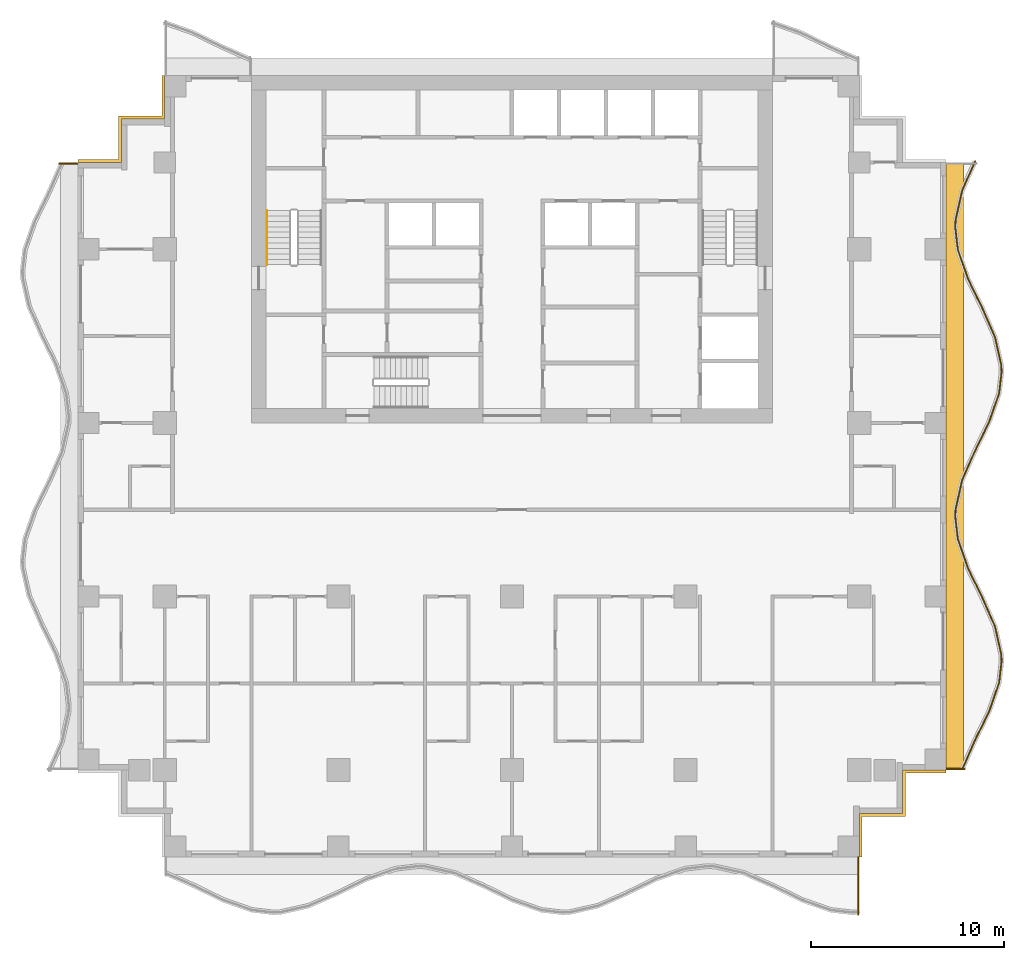
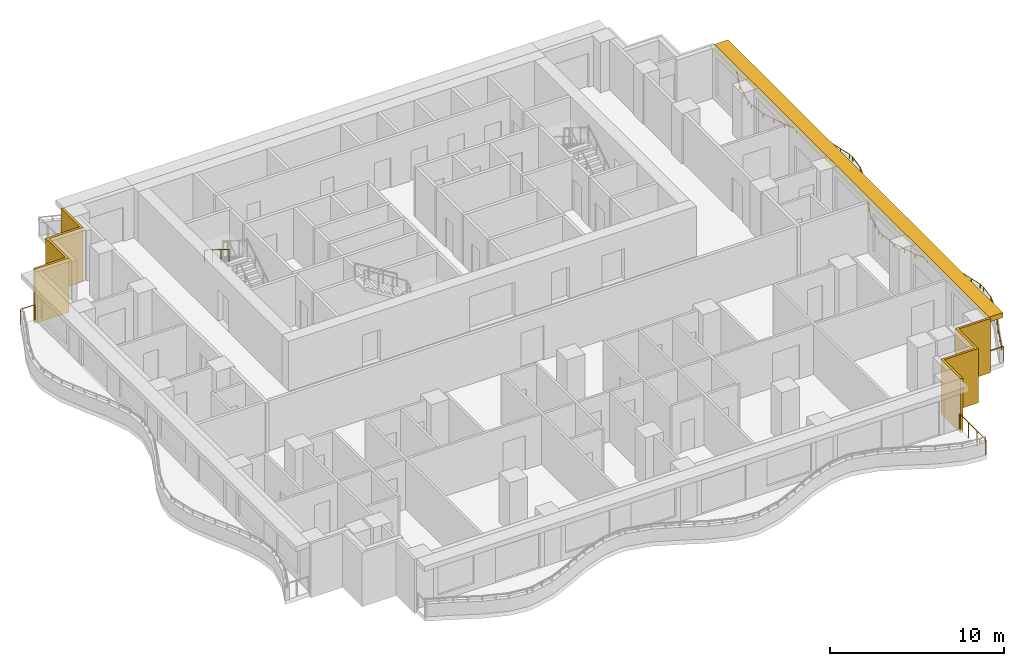
# One storey, part 9 of 10: 5 railings, 3 shading devices.
"""IFC4 building model written with IfcOpenShell, lengths in metres."""

from ifc_helpers import new_model, si_unit, direction, frame, origin, origin_2d, place, context, subcontext, project, spatial, polyline, rectangle, circle, outline, extrude, material, layer, layer_set, type_object, element, save


model = new_model("IFC4")

# Units and contexts
model_context = context("Model", 3, precision=1e-05, world=origin(), true_north=direction((0.0, 1.0)))
body_context = subcontext(model_context, "Body", "Model", "MODEL_VIEW")
ifc_project = project(units=[si_unit("LENGTHUNIT", "METRE"), si_unit("AREAUNIT", "SQUARE_METRE"), si_unit("VOLUMEUNIT", "CUBIC_METRE"), si_unit("PLANEANGLEUNIT", "RADIAN"), si_unit("MASSUNIT", "GRAM", prefix="KILO")], contexts=[model_context])

# Site, building, storey
site_placement = place(None, origin())
site = spatial("IfcSite", under=ifc_project, at=site_placement, CompositionType="ELEMENT")
building_placement = place(site_placement, origin())
building = spatial("IfcBuilding", under=site, at=building_placement, Name="Orbiselva Terraces", CompositionType="ELEMENT")
storey_placement = place(building_placement, frame((0.0, 0.0, 170.6)))
storey = spatial("IfcBuildingStorey", under=building, at=storey_placement, Name="L43", CompositionType="ELEMENT", Elevation=170.6)

# Railings
ifc_material_1 = material(Name="Stainless steel", Category="steel")
railing_type_1 = type_object("IfcRailingType", Name="CORE-HANDRAIL-900", PredefinedType="HANDRAIL", material=ifc_material_1)
railing_1_placement = place(storey_placement, frame((-12.7, 15.5, 2.072727)))
element("IfcRailing", 1, at=railing_1_placement, inside=storey, type_object=railing_type_1, Name="L43 S1 stair handrail 2", PredefinedType="HANDRAIL", context=body_context, shape_type="SweptSolid", body=[
    extrude(circle(Radius=0.024, at=origin_2d()), frame((0.0, 0.0, 0.876), z_axis=(0.0, -0.851088519012, 0.52502222125), x_axis=(1.0, 0.0, 0.0)), (0.0, 0.0, 1.0), 3.289905),
    extrude(circle(Radius=0.021, at=origin_2d()), origin(), (0.0, 0.0, 1.0), 0.852),
    extrude(circle(Radius=0.021, at=origin_2d()), frame((0.0, -0.933333, 0.575758)), (0.0, 0.0, 1.0), 0.852),
    extrude(circle(Radius=0.021, at=origin_2d()), frame((0.0, -1.866667, 1.151515)), (0.0, 0.0, 1.0), 0.852),
    extrude(circle(Radius=0.021, at=origin_2d()), frame((0.0, -2.8, 1.727273)), (0.0, 0.0, 1.0), 0.852),
])
ifc_material_2 = material(Name="Bonded two-ply safety glass balustrade, stainless steel posts", Category="steel")
railing_type_2 = type_object("IfcRailingType", Name="ENV-BALUSTRADE-1200", PredefinedType="BALUSTRADE", material=ifc_material_2)
railing_2_placement = place(storey_placement, frame((23.33708, -13.449606, 0.9)))
element("IfcRailing", 2, at=railing_2_placement, inside=storey, type_object=railing_type_2, Name="Balcony balustrade L43 E", PredefinedType="BALUSTRADE", context=body_context, shape_type="SweptSolid", body=[
    extrude(outline(polyline([(0.028868, 0.0), (0.014434, 0.025), (-0.014434, 0.025), (-0.028868, 0.0), (-0.014434, -0.025), (0.014434, -0.025), (0.028868, 0.0)])), frame((0.0, 0.0, 0.275), z_axis=(0.403151175476, 0.915133394491, 0.0), x_axis=(-0.915133394491, 0.403151175476, 0.0)), (0.0, 0.0, 1.0), 1.641563),
    extrude(outline(polyline([(0.028868, 0.0), (0.014434, 0.025), (-0.014434, 0.025), (-0.028868, 0.0), (-0.014434, -0.025), (0.014434, -0.025), (0.028868, 0.0)])), frame((0.661798, 1.502249, 0.275), z_axis=(0.438811978768, 0.89857890432, 0.0), x_axis=(-0.89857890432, 0.438811978768, 0.0)), (0.0, 0.0, 1.0), 1.66438),
    extrude(outline(polyline([(0.028868, 0.0), (0.014434, 0.025), (-0.014434, 0.025), (-0.028868, 0.0), (-0.014434, -0.025), (0.014434, -0.025), (0.028868, 0.0)])), frame((1.392148, 2.997826, 0.275), z_axis=(0.330024754707, 0.943972277814, 0.0), x_axis=(-0.943972277814, 0.330024754707, 0.0)), (0.0, 0.0, 1.0), 1.567807),
    extrude(outline(polyline([(0.028868, 0.0), (0.014434, 0.025), (-0.014434, 0.025), (-0.028868, 0.0), (-0.014434, -0.025), (0.014434, -0.025), (0.028868, 0.0)])), frame((1.909563, 4.477792, 0.275), z_axis=(0.115481264762, 0.993309658409, 0.0), x_axis=(-0.993309658409, 0.115481264762, 0.0)), (0.0, 0.0, 1.0), 1.10902),
    extrude(outline(polyline([(0.028868, 0.0), (0.014434, 0.025), (-0.014434, 0.025), (-0.028868, 0.0), (-0.014434, -0.025), (0.014434, -0.025), (0.028868, 0.0)])), frame((2.037634, 5.579392, 0.275), z_axis=(-0.039364150694, 0.999224931454, 0.0), x_axis=(-0.999224931454, -0.039364150694, 0.0)), (0.0, 0.0, 1.0), 0.354206),
    extrude(outline(polyline([(0.028868, 0.0), (0.014434, 0.025), (-0.014434, 0.025), (-0.028868, 0.0), (-0.014434, -0.025), (0.014434, -0.025), (0.028868, 0.0)])), frame((2.023691, 5.933323, 0.275), z_axis=(-0.219015740235, 0.975721325753, 0.0), x_axis=(-0.975721325753, -0.219015740235, 0.0)), (0.0, 0.0, 1.0), 1.513782),
    extrude(outline(polyline([(0.028868, 0.0), (0.014434, 0.025), (-0.014434, 0.025), (-0.028868, 0.0), (-0.014434, -0.025), (0.014434, -0.025), (0.028868, 0.0)])), frame((1.692149, 7.410352, 0.275), z_axis=(-0.403151245402, 0.915133363686, 0.0), x_axis=(-0.915133363686, -0.403151245402, 0.0)), (0.0, 0.0, 1.0), 1.624475),
    extrude(outline(polyline([(0.028868, 0.0), (0.014434, 0.025), (-0.014434, 0.025), (-0.028868, 0.0), (-0.014434, -0.025), (0.014434, -0.025), (0.028868, 0.0)])), frame((1.03724, 8.896963, 0.275), z_axis=(-0.438812048596, 0.898578870221, 0.0), x_axis=(-0.898578870221, -0.438812048596, 0.0)), (0.0, 0.0, 1.0), 1.674225),
    extrude(outline(polyline([(0.028868, 0.0), (0.014434, 0.025), (-0.014434, 0.025), (-0.028868, 0.0), (-0.014434, -0.025), (0.014434, -0.025), (0.028868, 0.0)])), frame((0.30257, 10.401386, 0.275), z_axis=(-0.330024597479, 0.943972332783, 0.0), x_axis=(-0.943972332783, -0.330024597479, 0.0)), (0.0, 0.0, 1.0), 1.610253),
    extrude(outline(polyline([(0.028868, 0.0), (0.014434, 0.025), (-0.014434, 0.025), (-0.028868, 0.0), (-0.014434, -0.025), (0.014434, -0.025), (0.028868, 0.0)])), frame((-0.228853, 11.92142, 0.275), z_axis=(-0.115482182324, 0.993309551734, 0.0), x_axis=(-0.993309551734, -0.115482182324, 0.0)), (0.0, 0.0, 1.0), 1.156135),
    extrude(outline(polyline([(0.028868, 0.0), (0.014434, 0.025), (-0.014434, 0.025), (-0.028868, 0.0), (-0.014434, -0.025), (0.014434, -0.025), (0.028868, 0.0)])), frame((-0.362366, 13.06982, 0.275), z_axis=(0.03936915532, 0.999224734286, 0.0), x_axis=(-0.999224734286, 0.03936915532, 0.0)), (0.0, 0.0, 1.0), 0.396376),
    extrude(outline(polyline([(0.028868, 0.0), (0.014434, 0.025), (-0.014434, 0.025), (-0.028868, 0.0), (-0.014434, -0.025), (0.014434, -0.025), (0.028868, 0.0)])), frame((-0.346761, 13.465889, 0.275), z_axis=(0.219015500924, 0.97572137947, 0.0), x_axis=(-0.97572137947, 0.219015500924, 0.0)), (0.0, 0.0, 1.0), 1.560867),
    extrude(outline(polyline([(0.028868, 0.0), (0.014434, 0.025), (-0.014434, 0.025), (-0.028868, 0.0), (-0.014434, -0.025), (0.014434, -0.025), (0.028868, 0.0)])), frame((-0.004907, 14.98886, 0.275), z_axis=(0.403150874148, 0.915133527237, 0.0), x_axis=(-0.915133527237, 0.403150874148, 0.0)), (0.0, 0.0, 1.0), 1.653736),
    extrude(outline(polyline([(0.028868, 0.0), (0.014434, 0.025), (-0.014434, 0.025), (-0.028868, 0.0), (-0.014434, -0.025), (0.014434, -0.025), (0.028868, 0.0)])), frame((0.661798, 16.502249, 0.275), z_axis=(0.438811978768, 0.89857890432, 0.0), x_axis=(-0.89857890432, 0.438811978768, 0.0)), (0.0, 0.0, 1.0), 1.66438),
    extrude(outline(polyline([(0.028868, 0.0), (0.014434, 0.025), (-0.014434, 0.025), (-0.028868, 0.0), (-0.014434, -0.025), (0.014434, -0.025), (0.028868, 0.0)])), frame((1.392148, 17.997826, 0.275), z_axis=(0.330024754707, 0.943972277814, 0.0), x_axis=(-0.943972277814, 0.330024754707, 0.0)), (0.0, 0.0, 1.0), 1.567807),
    extrude(outline(polyline([(0.028868, 0.0), (0.014434, 0.025), (-0.014434, 0.025), (-0.028868, 0.0), (-0.014434, -0.025), (0.014434, -0.025), (0.028868, 0.0)])), frame((1.909563, 19.477792, 0.275), z_axis=(0.115481264762, 0.993309658409, 0.0), x_axis=(-0.993309658409, 0.115481264762, 0.0)), (0.0, 0.0, 1.0), 1.10902),
    extrude(outline(polyline([(0.028868, 0.0), (0.014434, 0.025), (-0.014434, 0.025), (-0.028868, 0.0), (-0.014434, -0.025), (0.014434, -0.025), (0.028868, 0.0)])), frame((2.037634, 20.579392, 0.275), z_axis=(-0.039364150694, 0.999224931454, 0.0), x_axis=(-0.999224931454, -0.039364150694, 0.0)), (0.0, 0.0, 1.0), 0.354206),
    extrude(outline(polyline([(0.028868, 0.0), (0.014434, 0.025), (-0.014434, 0.025), (-0.028868, 0.0), (-0.014434, -0.025), (0.014434, -0.025), (0.028868, 0.0)])), frame((2.023691, 20.933323, 0.275), z_axis=(-0.219015740235, 0.975721325753, 0.0), x_axis=(-0.975721325753, -0.219015740235, 0.0)), (0.0, 0.0, 1.0), 1.513782),
    extrude(outline(polyline([(0.028868, 0.0), (0.014434, 0.025), (-0.014434, 0.025), (-0.028868, 0.0), (-0.014434, -0.025), (0.014434, -0.025), (0.028868, 0.0)])), frame((1.692149, 22.410352, 0.275), z_axis=(-0.403151245402, 0.915133363686, 0.0), x_axis=(-0.915133363686, -0.403151245402, 0.0)), (0.0, 0.0, 1.0), 1.624475),
    extrude(outline(polyline([(0.028868, 0.0), (0.014434, 0.025), (-0.014434, 0.025), (-0.028868, 0.0), (-0.014434, -0.025), (0.014434, -0.025), (0.028868, 0.0)])), frame((1.03724, 23.896963, 0.275), z_axis=(-0.438812048596, 0.898578870221, 0.0), x_axis=(-0.898578870221, -0.438812048596, 0.0)), (0.0, 0.0, 1.0), 1.674225),
    extrude(outline(polyline([(0.028868, 0.0), (0.014434, 0.025), (-0.014434, 0.025), (-0.028868, 0.0), (-0.014434, -0.025), (0.014434, -0.025), (0.028868, 0.0)])), frame((0.30257, 25.401386, 0.275), z_axis=(-0.330024597479, 0.943972332783, 0.0), x_axis=(-0.943972332783, -0.330024597479, 0.0)), (0.0, 0.0, 1.0), 1.610253),
    extrude(outline(polyline([(0.028868, 0.0), (0.014434, 0.025), (-0.014434, 0.025), (-0.028868, 0.0), (-0.014434, -0.025), (0.014434, -0.025), (0.028868, 0.0)])), frame((-0.228853, 26.92142, 0.275), z_axis=(-0.115482182324, 0.993309551734, 0.0), x_axis=(-0.993309551734, -0.115482182324, 0.0)), (0.0, 0.0, 1.0), 1.156135),
    extrude(outline(polyline([(0.028868, 0.0), (0.014434, 0.025), (-0.014434, 0.025), (-0.028868, 0.0), (-0.014434, -0.025), (0.014434, -0.025), (0.028868, 0.0)])), frame((-0.362366, 28.06982, 0.275), z_axis=(0.03936915532, 0.999224734286, 0.0), x_axis=(-0.999224734286, 0.03936915532, 0.0)), (0.0, 0.0, 1.0), 0.396376),
    extrude(outline(polyline([(0.028868, 0.0), (0.014434, 0.025), (-0.014434, 0.025), (-0.028868, 0.0), (-0.014434, -0.025), (0.014434, -0.025), (0.028868, 0.0)])), frame((-0.346761, 28.465889, 0.275), z_axis=(0.219015500924, 0.97572137947, 0.0), x_axis=(-0.97572137947, 0.219015500924, 0.0)), (0.0, 0.0, 1.0), 1.560867),
    extrude(outline(polyline([(0.028868, 0.0), (0.014434, 0.025), (-0.014434, 0.025), (-0.028868, 0.0), (-0.014434, -0.025), (0.014434, -0.025), (0.028868, 0.0)])), frame((-0.004907, 29.98886, 0.275), z_axis=(0.403150757208, 0.915133578754, 0.0), x_axis=(-0.915133578754, 0.403150757208, 0.0)), (0.0, 0.0, 1.0), 1.651278),
    extrude(rectangle(XDim=0.05, YDim=0.05, at=origin_2d()), origin(), (0.0, 0.0, 1.0), 0.25),
    extrude(rectangle(XDim=0.05, YDim=0.05, at=origin_2d()), frame((0.330899, 0.751124, 0.0)), (0.0, 0.0, 1.0), 0.25),
    extrude(rectangle(XDim=0.05, YDim=0.05, at=origin_2d()), frame((0.661798, 1.502249, 0.0)), (0.0, 0.0, 1.0), 0.25),
    extrude(rectangle(XDim=0.05, YDim=0.05, at=origin_2d()), frame((1.026973, 2.250037, 0.0)), (0.0, 0.0, 1.0), 0.25),
    extrude(rectangle(XDim=0.05, YDim=0.05, at=origin_2d()), frame((1.392148, 2.997826, 0.0)), (0.0, 0.0, 1.0), 0.25),
    extrude(rectangle(XDim=0.05, YDim=0.05, at=origin_2d()), frame((1.650855, 3.737809, 0.0)), (0.0, 0.0, 1.0), 0.25),
    extrude(rectangle(XDim=0.05, YDim=0.05, at=origin_2d()), frame((1.909563, 4.477792, 0.0)), (0.0, 0.0, 1.0), 0.25),
    extrude(rectangle(XDim=0.05, YDim=0.05, at=origin_2d()), frame((2.037634, 5.579392, 0.0)), (0.0, 0.0, 1.0), 0.25),
    extrude(rectangle(XDim=0.05, YDim=0.05, at=origin_2d()), frame((2.023691, 5.933323, 0.0)), (0.0, 0.0, 1.0), 0.25),
    extrude(rectangle(XDim=0.05, YDim=0.05, at=origin_2d()), frame((1.85792, 6.671838, 0.0)), (0.0, 0.0, 1.0), 0.25),
    extrude(rectangle(XDim=0.05, YDim=0.05, at=origin_2d()), frame((1.692149, 7.410352, 0.0)), (0.0, 0.0, 1.0), 0.25),
    extrude(rectangle(XDim=0.05, YDim=0.05, at=origin_2d()), frame((1.364695, 8.153658, 0.0)), (0.0, 0.0, 1.0), 0.25),
    extrude(rectangle(XDim=0.05, YDim=0.05, at=origin_2d()), frame((1.03724, 8.896963, 0.0)), (0.0, 0.0, 1.0), 0.25),
    extrude(rectangle(XDim=0.05, YDim=0.05, at=origin_2d()), frame((0.669905, 9.649174, 0.0)), (0.0, 0.0, 1.0), 0.25),
    extrude(rectangle(XDim=0.05, YDim=0.05, at=origin_2d()), frame((0.30257, 10.401386, 0.0)), (0.0, 0.0, 1.0), 0.25),
    extrude(rectangle(XDim=0.05, YDim=0.05, at=origin_2d()), frame((0.036858, 11.161403, 0.0)), (0.0, 0.0, 1.0), 0.25),
    extrude(rectangle(XDim=0.05, YDim=0.05, at=origin_2d()), frame((-0.228853, 11.92142, 0.0)), (0.0, 0.0, 1.0), 0.25),
    extrude(rectangle(XDim=0.05, YDim=0.05, at=origin_2d()), frame((-0.362366, 13.06982, 0.0)), (0.0, 0.0, 1.0), 0.25),
    extrude(rectangle(XDim=0.05, YDim=0.05, at=origin_2d()), frame((-0.346761, 13.465889, 0.0)), (0.0, 0.0, 1.0), 0.25),
    extrude(rectangle(XDim=0.05, YDim=0.05, at=origin_2d()), frame((-0.175834, 14.227374, 0.0)), (0.0, 0.0, 1.0), 0.25),
    extrude(rectangle(XDim=0.05, YDim=0.05, at=origin_2d()), frame((-0.004907, 14.98886, 0.0)), (0.0, 0.0, 1.0), 0.25),
    extrude(rectangle(XDim=0.05, YDim=0.05, at=origin_2d()), frame((0.328446, 15.745554, 0.0)), (0.0, 0.0, 1.0), 0.25),
    extrude(rectangle(XDim=0.05, YDim=0.05, at=origin_2d()), frame((0.661798, 16.502249, 0.0)), (0.0, 0.0, 1.0), 0.25),
    extrude(rectangle(XDim=0.05, YDim=0.05, at=origin_2d()), frame((1.026973, 17.250037, 0.0)), (0.0, 0.0, 1.0), 0.25),
    extrude(rectangle(XDim=0.05, YDim=0.05, at=origin_2d()), frame((1.392148, 17.997826, 0.0)), (0.0, 0.0, 1.0), 0.25),
    extrude(rectangle(XDim=0.05, YDim=0.05, at=origin_2d()), frame((1.650855, 18.737809, 0.0)), (0.0, 0.0, 1.0), 0.25),
    extrude(rectangle(XDim=0.05, YDim=0.05, at=origin_2d()), frame((1.909563, 19.477792, 0.0)), (0.0, 0.0, 1.0), 0.25),
    extrude(rectangle(XDim=0.05, YDim=0.05, at=origin_2d()), frame((2.037634, 20.579392, 0.0)), (0.0, 0.0, 1.0), 0.25),
    extrude(rectangle(XDim=0.05, YDim=0.05, at=origin_2d()), frame((2.023691, 20.933323, 0.0)), (0.0, 0.0, 1.0), 0.25),
    extrude(rectangle(XDim=0.05, YDim=0.05, at=origin_2d()), frame((1.85792, 21.671838, 0.0)), (0.0, 0.0, 1.0), 0.25),
    extrude(rectangle(XDim=0.05, YDim=0.05, at=origin_2d()), frame((1.692149, 22.410352, 0.0)), (0.0, 0.0, 1.0), 0.25),
    extrude(rectangle(XDim=0.05, YDim=0.05, at=origin_2d()), frame((1.364695, 23.153658, 0.0)), (0.0, 0.0, 1.0), 0.25),
    extrude(rectangle(XDim=0.05, YDim=0.05, at=origin_2d()), frame((1.03724, 23.896963, 0.0)), (0.0, 0.0, 1.0), 0.25),
    extrude(rectangle(XDim=0.05, YDim=0.05, at=origin_2d()), frame((0.669905, 24.649174, 0.0)), (0.0, 0.0, 1.0), 0.25),
    extrude(rectangle(XDim=0.05, YDim=0.05, at=origin_2d()), frame((0.30257, 25.401386, 0.0)), (0.0, 0.0, 1.0), 0.25),
    extrude(rectangle(XDim=0.05, YDim=0.05, at=origin_2d()), frame((0.036858, 26.161403, 0.0)), (0.0, 0.0, 1.0), 0.25),
    extrude(rectangle(XDim=0.05, YDim=0.05, at=origin_2d()), frame((-0.228853, 26.92142, 0.0)), (0.0, 0.0, 1.0), 0.25),
    extrude(rectangle(XDim=0.05, YDim=0.05, at=origin_2d()), frame((-0.362366, 28.06982, 0.0)), (0.0, 0.0, 1.0), 0.25),
    extrude(rectangle(XDim=0.05, YDim=0.05, at=origin_2d()), frame((-0.346761, 28.465889, 0.0)), (0.0, 0.0, 1.0), 0.25),
    extrude(rectangle(XDim=0.05, YDim=0.05, at=origin_2d()), frame((-0.175834, 29.227374, 0.0)), (0.0, 0.0, 1.0), 0.25),
    extrude(rectangle(XDim=0.05, YDim=0.05, at=origin_2d()), frame((-0.004907, 29.98886, 0.0)), (0.0, 0.0, 1.0), 0.25),
    extrude(rectangle(XDim=0.05, YDim=0.05, at=origin_2d()), frame((0.32795, 30.74443, 0.0)), (0.0, 0.0, 1.0), 0.25),
    extrude(rectangle(XDim=0.05, YDim=0.05, at=origin_2d()), frame((0.660807, 31.5, 0.0)), (0.0, 0.0, 1.0), 0.25),
])
ifc_material_3 = material(Name="Stainless steel rail and posts", Category="steel")
railing_type_3 = type_object("IfcRailingType", Name="ENV-GUARD-1105", PredefinedType="BALUSTRADE", material=ifc_material_3)
railing_3_placement = place(storey_placement, frame((17.94, -20.989569, 0.0)))
element("IfcRailing", 3, at=railing_3_placement, inside=storey, type_object=railing_type_3, Name="Balcony end guard L43 S", PredefinedType="BALUSTRADE", context=body_context, shape_type="SweptSolid", body=[
    extrude(outline(polyline([(0.028868, 0.0), (0.014434, 0.025), (-0.014434, 0.025), (-0.028868, 0.0), (-0.014434, -0.025), (0.014434, -0.025), (0.028868, 0.0)])), frame((0.0, 0.0, 1.08), z_axis=(0.0, 1.0, 0.0), x_axis=(-1.0, 0.0, 0.0)), (0.0, 0.0, 1.0), 2.964569),
    extrude(rectangle(XDim=0.05, YDim=0.05, at=origin_2d()), origin(), (0.0, 0.0, 1.0), 1.055),
    extrude(rectangle(XDim=0.05, YDim=0.05, at=origin_2d()), frame((0.0, 0.98819, 0.0)), (0.0, 0.0, 1.0), 1.055),
    extrude(rectangle(XDim=0.05, YDim=0.05, at=origin_2d()), frame((0.0, 1.976379, 0.0)), (0.0, 0.0, 1.0), 1.055),
    extrude(rectangle(XDim=0.05, YDim=0.05, at=origin_2d()), frame((0.0, 2.964569, 0.0)), (0.0, 0.0, 1.0), 1.055),
])
railing_4_placement = place(storey_placement, frame((23.473063, -13.44, 0.0)))
element("IfcRailing", 4, at=railing_4_placement, inside=storey, type_object=railing_type_3, Name="Balcony end guard L43 E", PredefinedType="BALUSTRADE", context=body_context, shape_type="SweptSolid", body=[
    extrude(outline(polyline([(0.028868, 0.0), (0.014434, 0.025), (-0.014434, 0.025), (-0.028868, 0.0), (-0.014434, -0.025), (0.014434, -0.025), (0.028868, 0.0)])), frame((0.0, 0.0, 1.08), z_axis=(-1.0, 0.0, 0.0), x_axis=(0.0, -1.0, 0.0)), (0.0, 0.0, 1.0), 0.948063),
    extrude(rectangle(XDim=0.05, YDim=0.05, at=origin_2d()), origin(), (0.0, 0.0, 1.0), 1.055),
    extrude(rectangle(XDim=0.05, YDim=0.05, at=origin_2d()), frame((-0.948063, 0.0, 0.0)), (0.0, 0.0, 1.0), 1.055),
])
railing_5_placement = place(storey_placement, frame((-23.473063, 17.94, 0.0)))
element("IfcRailing", 5, at=railing_5_placement, inside=storey, type_object=railing_type_3, Name="Balcony end guard L43 W", PredefinedType="BALUSTRADE", context=body_context, shape_type="SweptSolid", body=[
    extrude(outline(polyline([(0.028868, 0.0), (0.014434, 0.025), (-0.014434, 0.025), (-0.028868, 0.0), (-0.014434, -0.025), (0.014434, -0.025), (0.028868, 0.0)])), frame((0.0, 0.0, 1.08), z_axis=(1.0, 0.0, 0.0), x_axis=(0.0, 1.0, 0.0)), (0.0, 0.0, 1.0), 0.948063),
    extrude(rectangle(XDim=0.05, YDim=0.05, at=origin_2d()), origin(), (0.0, 0.0, 1.0), 1.055),
    extrude(rectangle(XDim=0.05, YDim=0.05, at=origin_2d()), frame((0.948063, 0.0, 0.0)), (0.0, 0.0, 1.0), 1.055),
])

# Shading devices
ifc_material_4 = material(Name="Terracotta louvre screen", Category="masonry")
ifc_layer_1 = layer(ifc_material_4, 0.15)
ifc_layer_set_1 = layer_set([ifc_layer_1], Name="Terracotta louvre screen")
shading_device_type_1 = type_object("IfcShadingDeviceType", Name="ENV-SCREEN-150", PredefinedType="USERDEFINED", material=ifc_layer_set_1)
shading_device_1_placement = place(storey_placement, frame((0.0, 0.0, -0.3)))
element("IfcShadingDevice", 6, at=shading_device_1_placement, inside=storey, type_object=shading_device_type_1, Name="Louvre screen L43 NW", ObjectType="SCREEN", PredefinedType="USERDEFINED", context=body_context, shape_type="SweptSolid", body=[
    extrude(outline(polyline([(-18.15, 22.5), (-18.15, 20.4), (-20.4, 20.4), (-20.4, 18.15), (-22.5, 18.15), (-22.5, 18.0), (-20.25, 18.0), (-20.25, 20.25), (-18.0, 20.25), (-18.0, 22.5), (-18.15, 22.5)])), origin(), (0.0, 0.0, 1.0), 3.8),
])
shading_device_2_placement = place(storey_placement, frame((0.0, 0.0, -0.3)))
element("IfcShadingDevice", 7, at=shading_device_2_placement, inside=storey, type_object=shading_device_type_1, Name="Louvre screen L43 SE", ObjectType="SCREEN", PredefinedType="USERDEFINED", context=body_context, shape_type="SweptSolid", body=[
    extrude(outline(polyline([(18.15, -18.0), (18.15, -15.9), (20.4, -15.9), (20.4, -13.65), (22.5, -13.65), (22.5, -13.5), (20.25, -13.5), (20.25, -15.75), (18.0, -15.75), (18.0, -18.0), (18.15, -18.0)])), origin(), (0.0, 0.0, 1.0), 3.8),
])
ifc_material_5 = material(Name="Terracotta baguette sunshade", Category="masonry")
ifc_layer_2 = layer(ifc_material_5, 0.35)
ifc_layer_set_2 = layer_set([ifc_layer_2], Name="Terracotta baguette sunshade")
shading_device_type_2 = type_object("IfcShadingDeviceType", Name="ENV-SUNSHADE-900x350", PredefinedType="USERDEFINED", material=ifc_layer_set_2)
shading_device_3_placement = place(storey_placement, frame((0.0, 0.0, 3.15)))
element("IfcShadingDevice", 8, at=shading_device_3_placement, inside=storey, type_object=shading_device_type_2, Name="Sunshade band L43 E", ObjectType="SUNSHADE", PredefinedType="USERDEFINED", context=body_context, shape_type="SweptSolid", body=[
    extrude(outline(polyline([(23.4, -13.5), (23.4, 18.0), (22.5, 18.0), (22.5, -13.5), (23.4, -13.5)])), origin(), (0.0, 0.0, 1.0), 0.35),
])

save(model, "model.ifc")
